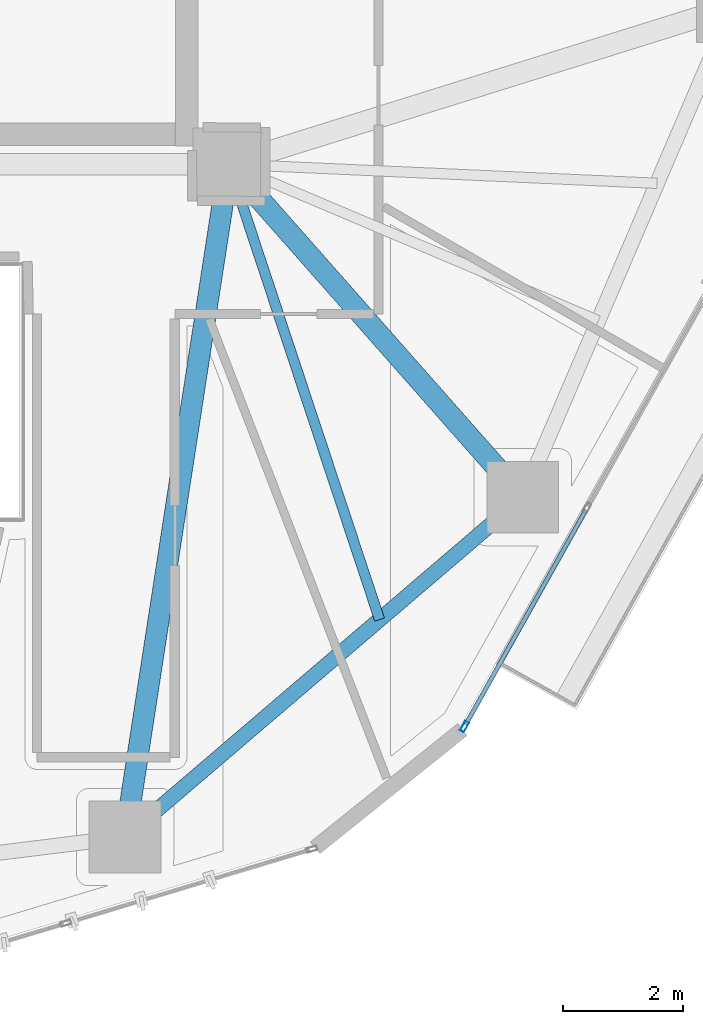
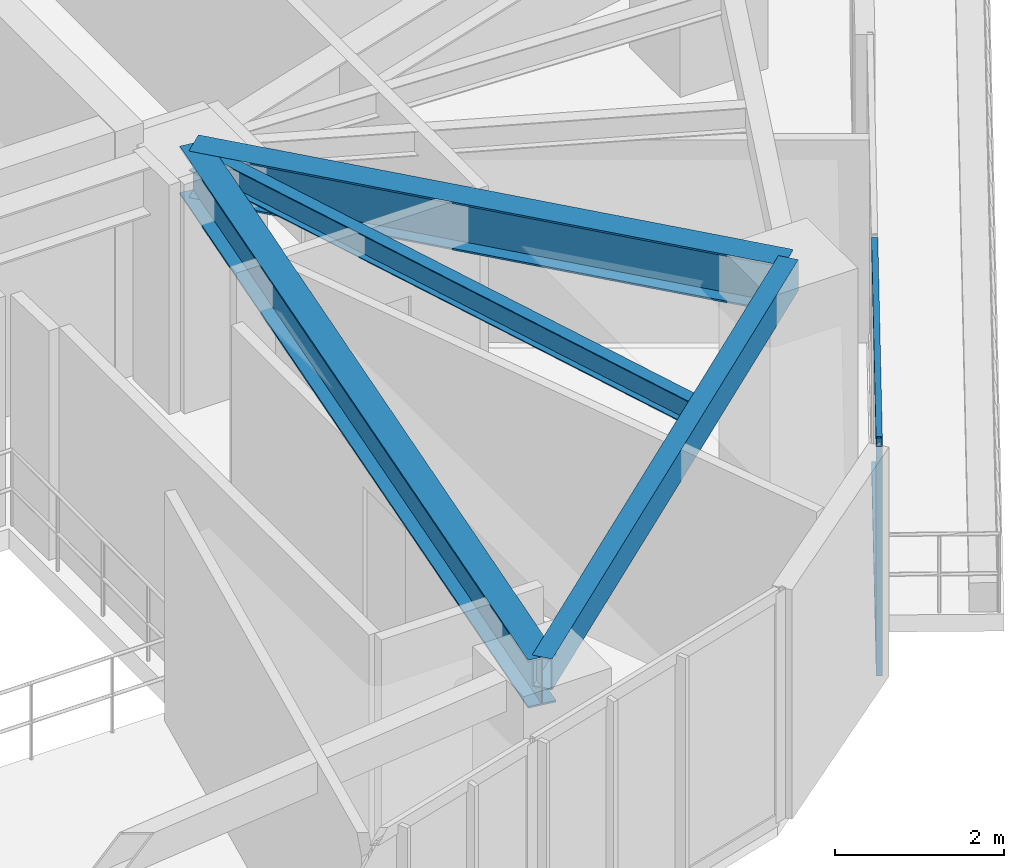
# One storey, part 6 of 21: 4 beams, 3 members, 1 element without a shape of its own.
"""IFC4 building model written with IfcOpenShell, lengths in metres."""

from ifc_helpers import new_model, si_unit, direction, frame, origin, origin_2d, place, context, subcontext, project, spatial, hollow_rectangle, i_section, extrude, source, transform, mapped, material, layer, layer_set, material_profile, profile_set, type_object, type_shapes, element, aggregate, save


model = new_model("IFC4")

# Units and contexts
model_context = context("Model", 3, precision=1e-05, world=origin(), true_north=direction((0.0, 1.0)))
body_context = subcontext(model_context, "Body", "Model", "MODEL_VIEW")
ifc_project = project(units=[si_unit("LENGTHUNIT", "METRE"), si_unit("AREAUNIT", "SQUARE_METRE"), si_unit("VOLUMEUNIT", "CUBIC_METRE"), si_unit("PLANEANGLEUNIT", "RADIAN"), si_unit("MASSUNIT", "GRAM", prefix="KILO")], contexts=[model_context])

# Site, building, storey
site_placement = place(None, origin())
site = spatial("IfcSite", under=ifc_project, at=site_placement, CompositionType="ELEMENT")
building_placement = place(site_placement, origin())
building = spatial("IfcBuilding", under=site, at=building_placement, Name="Talar Marvaseh", CompositionType="ELEMENT")
storey_placement = place(building_placement, frame((0.0, 0.0, 139.800048828125)))
storey = spatial("IfcBuildingStorey", under=building, at=storey_placement, Name="L36", CompositionType="ELEMENT", Elevation=139.800048828125)

# Beams
ifc_material_1 = material(Name="Steel S355", Category="steel")
ifc_material_profile_1 = material_profile(ifc_material_1, hollow_rectangle(XDim=0.25, YDim=0.449951171875, WallThickness=0.01611328125, at=origin_2d()), Name="RHS450x250x16")
ifc_profile_set_1 = profile_set([ifc_material_profile_1], Name="Steel S355")
beam_type_1 = type_object("IfcBeamType", Name="Zone 2 Perimeter Spandrel Beam RHS450x250x16", PredefinedType="SPANDREL", material=ifc_profile_set_1)
beam_1_placement = place(storey_placement, frame((38.2060546875, 19.94091796875, 3.0849609375), z_axis=(-0.76011265597, -0.649791312833, 0.0), x_axis=(0.649791312833, -0.76011265597, 0.0)))
element("IfcBeam", 1, at=beam_1_placement, inside=storey, type_object=beam_type_1, Name="L36 Zone 2 Perimeter Spandrel Beam RHS450x250x16", PredefinedType="SPANDREL", context=body_context, shape_type="SweptSolid", body=[
    extrude(hollow_rectangle(XDim=0.25, YDim=0.449951171875, WallThickness=0.01611328125, at=origin_2d()), origin(), (0.0, 0.0, 1.0), 8.730224609375),
])
ifc_material_profile_2 = material_profile(ifc_material_1, i_section(OverallWidth=0.35498046875, OverallDepth=0.695068359375, WebThickness=0.015380859375, FlangeThickness=0.02490234375, at=origin_2d()), Name="W690x217")
ifc_profile_set_2 = profile_set([ifc_material_profile_2], Name="Steel S355")
beam_type_2 = type_object("IfcBeamType", Name="Zone 2 Radial Floor Girder W690x217", PredefinedType="BEAM", material=ifc_profile_set_2)
beam_2_placement = place(storey_placement, frame((38.2060546875, 19.94091796875, 2.96240234375), z_axis=(-0.661692423388, 0.749775390921, 0.0), x_axis=(-0.749775390921, -0.661692423388, 0.0)))
element("IfcBeam", 2, at=beam_2_placement, inside=storey, type_object=beam_type_2, Name="L36 Zone 2 Radial Floor Girder W690x217", PredefinedType="BEAM", context=body_context, shape_type="SweptSolid", body=[
    extrude(i_section(OverallWidth=0.35498046875, OverallDepth=0.695068359375, WebThickness=0.015380859375, FlangeThickness=0.02490234375, at=origin_2d()), origin(), (0.0, 0.0, 1.0), 7.414306640625),
])
beam_3_placement = place(storey_placement, frame((31.570068359375, 14.26806640625, 2.96240234375), z_axis=(0.152228300633, 0.98834535689, 0.0), x_axis=(-0.98834535689, 0.152228300633, 0.0)))
element("IfcBeam", 3, at=beam_3_placement, inside=storey, type_object=beam_type_2, Name="L36 Zone 2 Radial Floor Girder W690x217", PredefinedType="BEAM", context=body_context, shape_type="SweptSolid", body=[
    extrude(i_section(OverallWidth=0.35498046875, OverallDepth=0.695068359375, WebThickness=0.015380859375, FlangeThickness=0.02490234375, at=origin_2d()), origin(), (0.0, 0.0, 1.0), 11.364501953125),
])
ifc_material_profile_3 = material_profile(ifc_material_1, i_section(OverallWidth=0.172119140625, OverallDepth=0.35791015625, WebThickness=0.0078125, FlangeThickness=0.01318359375, at=origin_2d()), Name="W360x57")
ifc_profile_set_3 = profile_set([ifc_material_profile_3], Name="Steel S355")
beam_type_3 = type_object("IfcBeamType", Name="Zone 2 Secondary Floor Joist W360x57", PredefinedType="JOIST", material=ifc_profile_set_3)
beam_4_placement = place(storey_placement, frame((35.81689453125, 17.898681640625, 3.130859375), z_axis=(-0.314324535154, 0.949315588516, 0.0), x_axis=(-0.949315588516, -0.314324535154, 0.0)))
element("IfcBeam", 4, at=beam_4_placement, inside=storey, type_object=beam_type_3, Name="L36 Zone 2 Secondary Floor Joist W360x57", PredefinedType="JOIST", context=body_context, shape_type="SweptSolid", body=[
    extrude(i_section(OverallWidth=0.172119140625, OverallDepth=0.35791015625, WebThickness=0.0078125, FlangeThickness=0.01318359375, at=origin_2d()), origin(), (0.0, 0.0, 1.0), 8.007080078125),
])

# Curtain wall, members
ifc_material_2 = material(Name="Architectural Aluminium", Category="aluminium")
ifc_layer = layer(ifc_material_2, 0.199951171875)
ifc_layer_set = layer_set([ifc_layer], Name="Architectural Aluminium")
curtain_wall_type = type_object("IfcCurtainWallType", Name="Unitised Acoustic Library Curtain Wall Z2", PredefinedType="NOTDEFINED", material=ifc_layer_set)
curtain_wall_placement = place(storey_placement, origin())
curtain_wall = element("IfcCurtainWall", 5, at=curtain_wall_placement, inside=storey, type_object=curtain_wall_type, Name="L36 Unitised Acoustic Library Curtain Wall Z2", PredefinedType="NOTDEFINED")
ifc_material_profile_4 = material_profile(ifc_material_2, hollow_rectangle(XDim=0.074951171875, YDim=0.179931640625, WallThickness=0.0048828125, at=origin_2d()), Name="RHS180x75x5")
ifc_profile_set_4 = profile_set([ifc_material_profile_4], Name="Architectural Aluminium")
member_type_1 = type_object("IfcMemberType", Name="Unitised Curtain Wall Standard Mullion RHS180x75x5", PredefinedType="MULLION", material=ifc_profile_set_4)
shared_shape_1 = source(origin(), body_context, "Body", "SweptSolid", [
    extrude(hollow_rectangle(XDim=0.074951171875, YDim=0.179931640625, WallThickness=0.0048828125, at=origin_2d()), origin(), (0.0, 0.0, 1.0), 3.31005859375),
])
type_shapes(member_type_1, [shared_shape_1])
member_1_placement = place(storey_placement, frame((37.234619140625, 16.113525390625, 0.0), z_axis=(0.0, 0.0, 1.0), x_axis=(0.87241842349, -0.488759751161, 0.0)))
member_1 = element("IfcMember", 6, at=member_1_placement, type_object=member_type_1, Name="CW-Z2 mullion 3", PredefinedType="MULLION", context=body_context, shape_type="MappedRepresentation", body=[
    mapped(shared_shape_1, transform((0.0, 0.0, 0.0), x_axis=(1.0, 0.0, 0.0), y_axis=(0.0, 1.0, 0.0), z_axis=(0.0, 0.0, 1.0), scale=1.0)),
])
ifc_material_profile_5 = material_profile(ifc_material_2, hollow_rectangle(XDim=0.074951171875, YDim=0.179931640625, WallThickness=0.0048828125, at=origin_2d()), Name="RHS180x75x5")
ifc_profile_set_5 = profile_set([ifc_material_profile_5], Name="Architectural Aluminium")
member_type_2 = type_object("IfcMemberType", Name="Unitised Curtain Wall Transom RHS180x75x5", PredefinedType="USERDEFINED", material=ifc_profile_set_5)
shared_shape_2 = source(origin(), body_context, "Body", "SweptSolid", [
    extrude(hollow_rectangle(XDim=0.074951171875, YDim=0.179931640625, WallThickness=0.0048828125, at=origin_2d()), origin(), (0.0, 0.0, 1.0), 4.10302734375),
])
type_shapes(member_type_2, [shared_shape_2])
member_2_placement = place(storey_placement, frame((39.25830078125, 19.725830078125, 0.037353515625), z_axis=(-0.488706645961, -0.872448172784, 0.0), x_axis=(0.872448172784, -0.488706645961, 0.0)))
member_2 = element("IfcMember", 7, at=member_2_placement, type_object=member_type_2, Name="CW-Z2 transom 2.1", ObjectType="TRANSOM", PredefinedType="USERDEFINED", context=body_context, shape_type="MappedRepresentation", body=[
    mapped(shared_shape_2, transform((0.0, 0.0, 0.0), x_axis=(1.0, 0.0, 0.0), y_axis=(0.0, 1.0, 0.0), z_axis=(0.0, 0.0, 1.0), scale=1.0)),
])
member_3_placement = place(storey_placement, frame((39.25830078125, 19.725830078125, 3.2724609375), z_axis=(-0.488706645961, -0.872448172784, 0.0), x_axis=(0.872448172784, -0.488706645961, 0.0)))
member_3 = element("IfcMember", 8, at=member_3_placement, type_object=member_type_2, Name="CW-Z2 transom 2.2", ObjectType="TRANSOM", PredefinedType="USERDEFINED", context=body_context, shape_type="MappedRepresentation", body=[
    mapped(shared_shape_2, transform((0.0, 0.0, 0.0), x_axis=(1.0, 0.0, 0.0), y_axis=(0.0, 1.0, 0.0), z_axis=(0.0, 0.0, 1.0), scale=1.0)),
])
aggregate(curtain_wall, [member_1, member_2, member_3])

save(model, "model.ifc")
